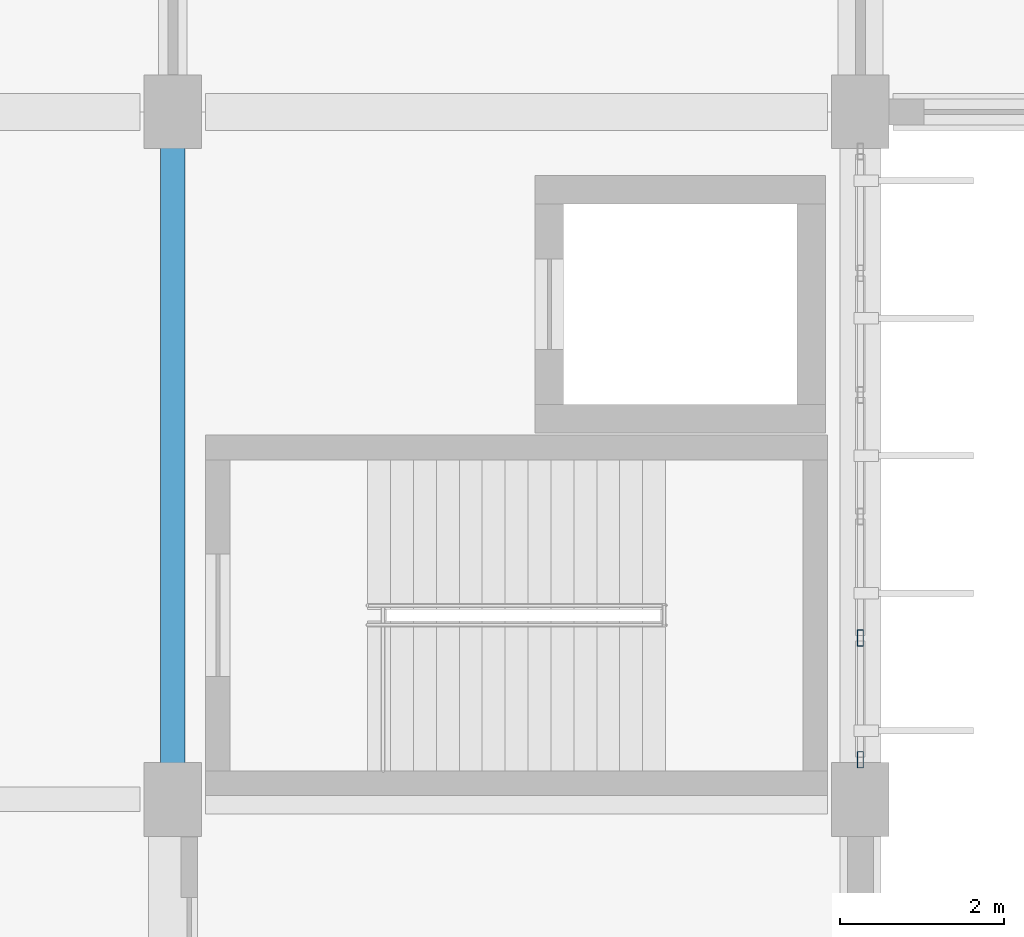
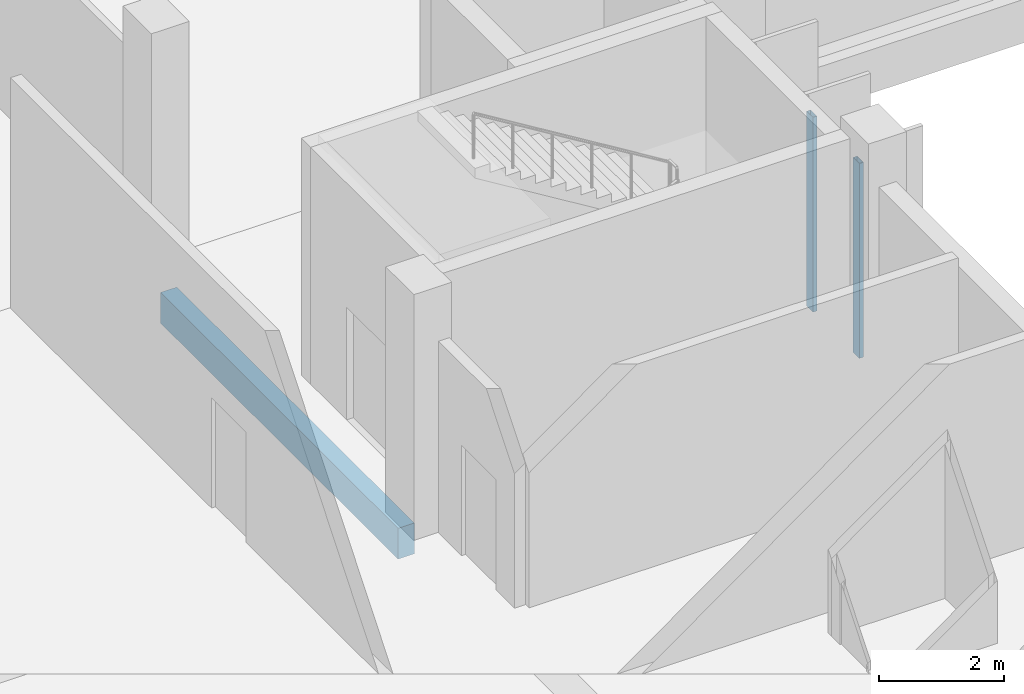
# One storey, part 52 of 95: 2 members, 1 beam, 1 element without a shape of its own.
"""IFC4 building model written with IfcOpenShell, lengths in metres."""

from ifc_helpers import new_model, si_unit, direction, frame, origin, origin_2d, place, context, subcontext, project, spatial, rectangle, hollow_rectangle, extrude, material, layer, layer_set, material_profile, profile_set, type_object, element, aggregate, save


model = new_model("IFC4")

# Units and contexts
model_context = context("Model", 3, precision=1e-05, world=origin(), true_north=direction((0.0, 1.0)))
body_context = subcontext(model_context, "Body", "Model", "MODEL_VIEW")
ifc_project = project(units=[si_unit("LENGTHUNIT", "METRE"), si_unit("AREAUNIT", "SQUARE_METRE"), si_unit("VOLUMEUNIT", "CUBIC_METRE"), si_unit("PLANEANGLEUNIT", "RADIAN"), si_unit("MASSUNIT", "GRAM", prefix="KILO")], contexts=[model_context])

# Site, building, storey
site_placement = place(None, origin())
site = spatial("IfcSite", under=ifc_project, at=site_placement, CompositionType="ELEMENT")
building_placement = place(site_placement, origin())
building = spatial("IfcBuilding", under=site, at=building_placement, Name="Vireocrest Preparatory School", CompositionType="ELEMENT")
storey_placement = place(building_placement, origin())
storey = spatial("IfcBuildingStorey", under=building, at=storey_placement, Name="L00", CompositionType="ELEMENT", Elevation=0.0)

# Curtain wall, members
ifc_material_1 = material(Name="Thermally broken aluminium EN AW-6063-T6", Category="aluminium")
ifc_layer = layer(ifc_material_1, 0.179931640625)
ifc_layer_set = layer_set([ifc_layer], Name="Thermally broken aluminium EN AW-6063-T6")
curtain_wall_type = type_object("IfcCurtainWallType", Name="Ground Storefront Curtain Wall 8400x4800", PredefinedType="USERDEFINED", material=ifc_layer_set)
curtain_wall_placement = place(storey_placement, origin())
curtain_wall = element("IfcCurtainWall", 1, at=curtain_wall_placement, inside=storey, type_object=curtain_wall_type, Name="Curtain Wall CW04 CW_L00_CW04_1092_0778_000", ObjectType="CURTAIN WALL", PredefinedType="USERDEFINED")
ifc_material_profile_1 = material_profile(ifc_material_1, hollow_rectangle(XDim=0.074951171875, YDim=0.199951171875, WallThickness=0.0048828125, at=origin_2d()), Name="ALU 75x200x5")
ifc_profile_set_1 = profile_set([ifc_material_profile_1], Name="Thermally broken aluminium EN AW-6063-T6")
member_type = type_object("IfcMemberType", Name="CW Mullion 75x200x5", PredefinedType="MULLION", material=ifc_profile_set_1)
member_1_placement = place(storey_placement, frame((109.199951171875, 77.885009765625, 0.0), z_axis=(0.0, 0.0, 1.0), x_axis=(1.0, 0.0, 0.0)))
member_1 = element("IfcMember", 2, at=member_1_placement, type_object=member_type, Name="CW Mullion ML3 CW_L00_CW04_1092_0778_000-1", PredefinedType="MULLION", context=body_context, shape_type="SweptSolid", body=[
    extrude(hollow_rectangle(XDim=0.074951171875, YDim=0.199951171875, WallThickness=0.0048828125, at=origin_2d()), origin(), (0.0, 0.0, 1.0), 3.804931640625),
])
member_2_placement = place(storey_placement, frame((109.199951171875, 79.37109375, 0.0), z_axis=(0.0, 0.0, 1.0), x_axis=(1.0, 0.0, 0.0)))
member_2 = element("IfcMember", 3, at=member_2_placement, type_object=member_type, Name="CW Mullion ML3 CW_L00_CW04_1092_0778_000-2", PredefinedType="MULLION", context=body_context, shape_type="SweptSolid", body=[
    extrude(hollow_rectangle(XDim=0.074951171875, YDim=0.199951171875, WallThickness=0.0048828125, at=origin_2d()), origin(), (0.0, 0.0, 1.0), 3.804931640625),
])
aggregate(curtain_wall, [member_1, member_2])

# Beam
ifc_material_2 = material(Name="Concrete 40 MPa", Category="concrete")
ifc_material_profile_2 = material_profile(ifc_material_2, rectangle(XDim=0.300048828125, YDim=0.60009765625, at=origin_2d()), Name="RC 300x600")
ifc_profile_set_2 = profile_set([ifc_material_profile_2], Name="Concrete 40 MPa")
beam_type = type_object("IfcBeamType", Name="RC Classroom Beam 300x600", PredefinedType="BEAM", material=ifc_profile_set_2)
beam_placement = place(storey_placement, frame((100.800048828125, 77.800048828125, -0.64990234375), z_axis=(0.0, 1.0, 0.0), x_axis=(-1.0, 0.0, 0.0)))
element("IfcBeam", 4, at=beam_placement, inside=storey, type_object=beam_type, Name="Primary Girder B03 L00-0212", PredefinedType="BEAM", context=body_context, shape_type="SweptSolid", body=[
    extrude(rectangle(XDim=0.300048828125, YDim=0.60009765625, at=origin_2d()), origin(), (0.0, 0.0, 1.0), 7.599853515625),
])

save(model, "model.ifc")
